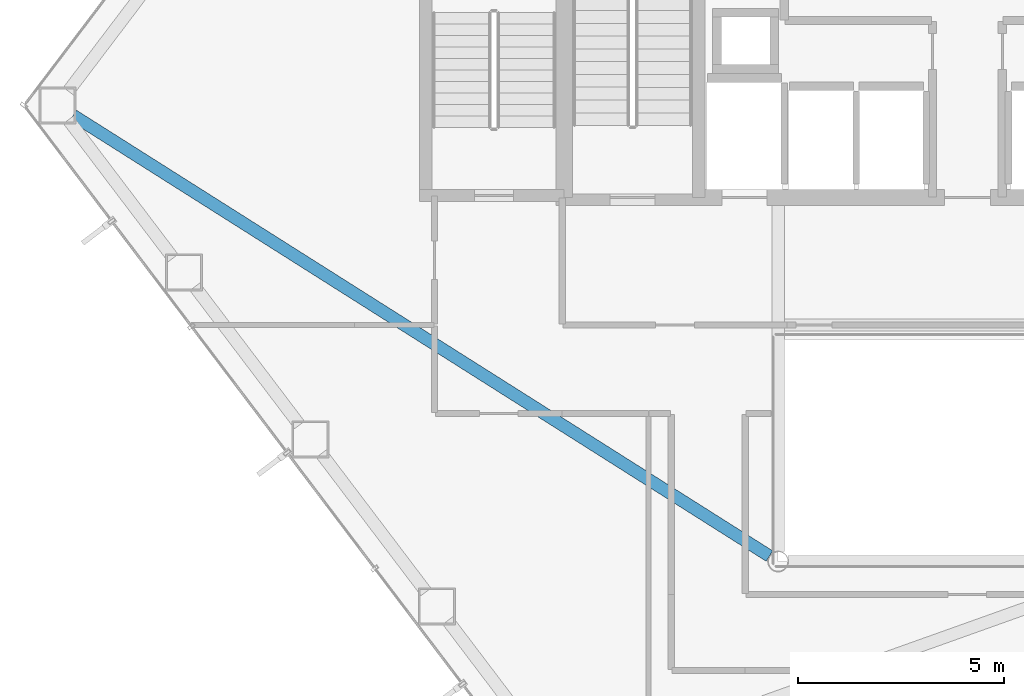
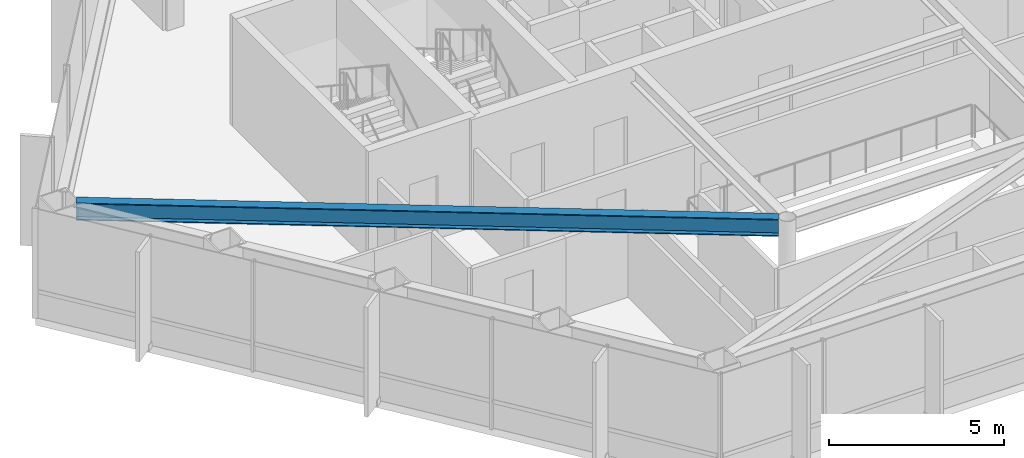
# One storey, part 5 of 24: 1 beam.
"""IFC4 building model written with IfcOpenShell, lengths in metres."""

from ifc_helpers import new_model, si_unit, direction, frame, origin, origin_2d, place, context, subcontext, project, spatial, i_section, extrude, material, material_profile, profile_set, type_object, element, save


model = new_model("IFC4")

# Units and contexts
model_context = context("Model", 3, precision=1e-05, world=origin(), true_north=direction((0.0, 1.0)))
body_context = subcontext(model_context, "Body", "Model", "MODEL_VIEW")
ifc_project = project(units=[si_unit("LENGTHUNIT", "METRE"), si_unit("AREAUNIT", "SQUARE_METRE"), si_unit("VOLUMEUNIT", "CUBIC_METRE"), si_unit("PLANEANGLEUNIT", "RADIAN"), si_unit("MASSUNIT", "GRAM", prefix="KILO")], contexts=[model_context])

# Site, building, storey
site_placement = place(None, origin())
site = spatial("IfcSite", under=ifc_project, at=site_placement, CompositionType="ELEMENT")
building_placement = place(site_placement, origin())
building = spatial("IfcBuilding", under=site, at=building_placement, Name="Zarrinselat Tower", CompositionType="ELEMENT")
storey_placement = place(building_placement, frame((0.0, 0.0, 76.5)))
storey = spatial("IfcBuildingStorey", under=building, at=storey_placement, Name="L18", CompositionType="ELEMENT", Elevation=76.5)

# Beam
ifc_material = material(Name="Steel S355J2", Category="steel")
ifc_material_profile = material_profile(ifc_material, i_section(OverallWidth=0.300048828125, OverallDepth=0.60009765625, WebThickness=0.015380859375, FlangeThickness=0.030029296875, at=origin_2d()), Name="HEB 600")
ifc_profile_set = profile_set([ifc_material_profile], Name="Steel S355J2")
beam_type = type_object("IfcBeamType", Name="BM-HEB600", PredefinedType="BEAM", material=ifc_profile_set)
beam_placement = place(storey_placement, frame((16.662841796875, 35.2451171875, 3.52001953125), z_axis=(0.845004877586, -0.534758596804, 0.0), x_axis=(0.534758596804, 0.845004877586, 0.0)))
element("IfcBeam", 1, at=beam_placement, inside=storey, type_object=beam_type, Name="L18 Radial Primary Girder RG06", PredefinedType="BEAM", context=body_context, shape_type="SweptSolid", body=[
    extrude(i_section(OverallWidth=0.300048828125, OverallDepth=0.60009765625, WebThickness=0.015380859375, FlangeThickness=0.030029296875, at=origin_2d()), origin(), (0.0, 0.0, 1.0), 20.0302734375),
])

save(model, "model.ifc")
